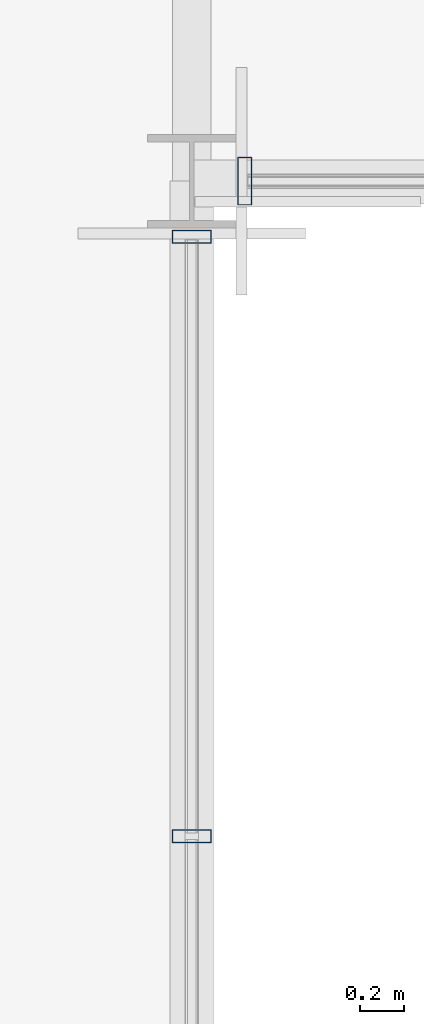
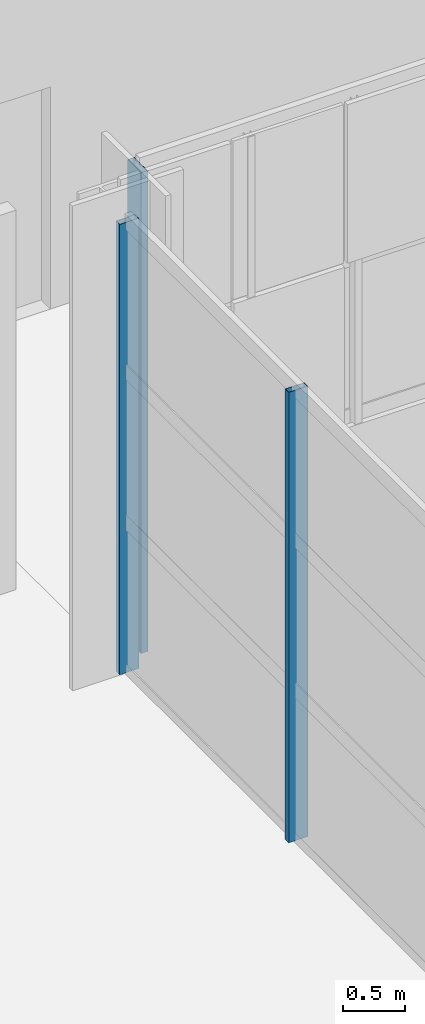
# One storey, part 13 of 46: 3 members, 2 elements without a shape of their own.
"""IFC4 building model written with IfcOpenShell, lengths in metres."""

from ifc_helpers import new_model, si_unit, direction, frame, origin, origin_2d, place, context, subcontext, project, spatial, hollow_rectangle, extrude, material, material_profile, profile_set, type_object, element, aggregate, save


model = new_model("IFC4")

# Units and contexts
model_context = context("Model", 3, precision=1e-05, world=origin(), true_north=direction((0.0, 1.0)))
body_context = subcontext(model_context, "Body", "Model", "MODEL_VIEW")
ifc_project = project(units=[si_unit("LENGTHUNIT", "METRE"), si_unit("AREAUNIT", "SQUARE_METRE"), si_unit("VOLUMEUNIT", "CUBIC_METRE"), si_unit("PLANEANGLEUNIT", "RADIAN"), si_unit("MASSUNIT", "GRAM", prefix="KILO")], contexts=[model_context])

# Site, building, storey
site_placement = place(None, origin())
site = spatial("IfcSite", under=ifc_project, at=site_placement, CompositionType="ELEMENT")
building_placement = place(site_placement, origin())
building = spatial("IfcBuilding", under=site, at=building_placement, Name="Solvikara Media Centre", CompositionType="ELEMENT")
storey_placement = place(building_placement, frame((0.0, 0.0, 24.60009765625)))
storey = spatial("IfcBuildingStorey", under=building, at=storey_placement, Name="L05", CompositionType="ELEMENT", Elevation=24.60009765625)

# Curtain wall, member
ifc_material = material(Name="Anodised aluminium EN AW-6063", Category="aluminium")
curtain_wall_type_1 = type_object("IfcCurtainWallType", Name="CW-10", PredefinedType="NOTDEFINED", material=ifc_material)
curtain_wall_1_placement = place(storey_placement, origin())
curtain_wall_1 = element("IfcCurtainWall", 1, at=curtain_wall_1_placement, inside=storey, type_object=curtain_wall_type_1, Name="CW-L05-BHWS", PredefinedType="NOTDEFINED")
ifc_material_profile_1 = material_profile(ifc_material, hollow_rectangle(XDim=0.06494140625, YDim=0.219970703125, WallThickness=0.00390625, at=origin_2d()), Name="ALU-M 65x220x4")
ifc_profile_set_1 = profile_set([ifc_material_profile_1], Name="Anodised aluminium EN AW-6063")
member_type_1 = type_object("IfcMemberType", Name="MF-01", PredefinedType="MULLION", material=ifc_profile_set_1)
member_1_placement = place(storey_placement, frame((68.242919921875, 19.323974609375, 0.02001953125), z_axis=(0.0, 0.0, 1.0), x_axis=(1.0, 0.0, 0.0)))
member_1 = element("IfcMember", 2, at=member_1_placement, type_object=member_type_1, Name="CW-L05-BHWS-M00", PredefinedType="MULLION", context=body_context, shape_type="SweptSolid", body=[
    extrude(hollow_rectangle(XDim=0.06494140625, YDim=0.219970703125, WallThickness=0.00390625, at=origin_2d()), origin(), (0.0, 0.0, 1.0), 4.759765625),
])
aggregate(curtain_wall_1, [member_1])

# Curtain wall, members
curtain_wall_type_2 = type_object("IfcCurtainWallType", Name="CW-09", PredefinedType="NOTDEFINED", material=ifc_material)
curtain_wall_2_placement = place(storey_placement, origin())
curtain_wall_2 = element("IfcCurtainWall", 3, at=curtain_wall_2_placement, inside=storey, type_object=curtain_wall_type_2, Name="CW-L05-V6E-S2", PredefinedType="NOTDEFINED")
ifc_material_profile_2 = material_profile(ifc_material, hollow_rectangle(XDim=0.06005859375, YDim=0.179931640625, WallThickness=0.00341796875, at=origin_2d()), Name="ALU-M 60x180x3.5")
ifc_profile_set_2 = profile_set([ifc_material_profile_2], Name="Anodised aluminium EN AW-6063")
member_type_2 = type_object("IfcMemberType", Name="MF-03", PredefinedType="MULLION", material=ifc_profile_set_2)
member_2_placement = place(storey_placement, frame((68.0, 16.326904296875, 0.02001953125), z_axis=(0.0, 0.0, 1.0), x_axis=(0.0, 1.0, 0.0)))
member_2 = element("IfcMember", 4, at=member_2_placement, type_object=member_type_2, Name="CW-L05-V6E-S2-M02", PredefinedType="MULLION", context=body_context, shape_type="SweptSolid", body=[
    extrude(hollow_rectangle(XDim=0.06005859375, YDim=0.179931640625, WallThickness=0.00341796875, at=origin_2d()), origin(), (0.0, 0.0, 1.0), 4.4599609375),
])
member_3_placement = place(storey_placement, frame((68.0, 19.070068359375, 0.02001953125), z_axis=(0.0, 0.0, 1.0), x_axis=(0.0, 1.0, 0.0)))
member_3 = element("IfcMember", 5, at=member_3_placement, type_object=member_type_2, Name="CW-L05-V6E-S2-M03", PredefinedType="MULLION", context=body_context, shape_type="SweptSolid", body=[
    extrude(hollow_rectangle(XDim=0.06005859375, YDim=0.179931640625, WallThickness=0.00341796875, at=origin_2d()), origin(), (0.0, 0.0, 1.0), 4.4599609375),
])
aggregate(curtain_wall_2, [member_2, member_3])

save(model, "model.ifc")
